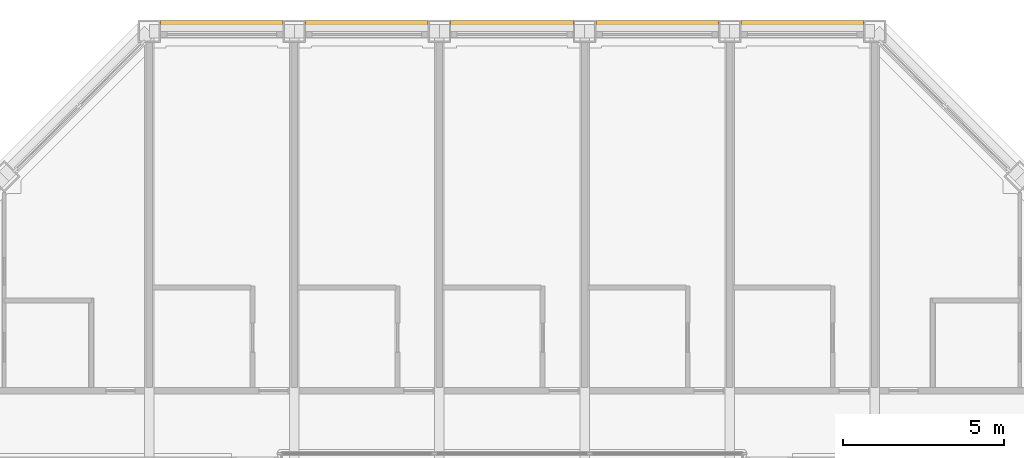
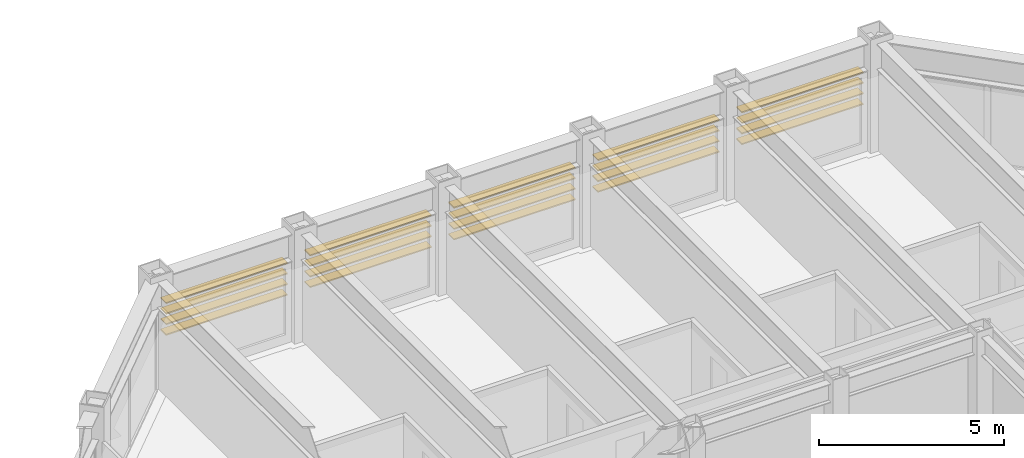
# One storey, part 18 of 18: 1 shading device.
"""IFC4 building model written with IfcOpenShell, lengths in metres."""

from ifc_helpers import new_model, si_unit, direction, frame, origin, origin_2d, place, context, subcontext, project, spatial, rectangle, extrude, material, type_object, element, save


model = new_model("IFC4")

# Units and contexts
model_context = context("Model", 3, precision=1e-05, world=origin(), true_north=direction((0.0, 1.0)))
body_context = subcontext(model_context, "Body", "Model", "MODEL_VIEW")
ifc_project = project(units=[si_unit("LENGTHUNIT", "METRE"), si_unit("AREAUNIT", "SQUARE_METRE"), si_unit("VOLUMEUNIT", "CUBIC_METRE"), si_unit("PLANEANGLEUNIT", "RADIAN"), si_unit("MASSUNIT", "GRAM", prefix="KILO")], contexts=[model_context])

# Site, building, storey
site_placement = place(None, origin())
site = spatial("IfcSite", under=ifc_project, at=site_placement, CompositionType="ELEMENT")
building_placement = place(site_placement, origin())
building = spatial("IfcBuilding", under=site, at=building_placement, Name="Msasa Ring Tower", CompositionType="ELEMENT")
storey_placement = place(building_placement, frame((0.0, 0.0, 200.800048828125)))
storey = spatial("IfcBuildingStorey", under=building, at=storey_placement, Name="L52", CompositionType="ELEMENT", Elevation=200.800048828125)

# Shading device
ifc_material = material(Name="Extruded terracotta blades", Category="masonry")
shading_device_type = type_object("IfcShadingDeviceType", Name="SS1 TERRACOTTA SUNSHADE 4 BLADES 300x40 AT 350", PredefinedType="USERDEFINED", material=ifc_material)
shading_device_placement = place(storey_placement, origin())
element("IfcShadingDevice", 1, at=shading_device_placement, inside=storey, type_object=shading_device_type, Name="Terracotta sunshade N L52", ObjectType="SUNSHADE", PredefinedType="USERDEFINED", context=body_context, shape_type="SweptSolid", body=[
    extrude(rectangle(XDim=0.0400390625, YDim=0.300048828125, at=origin_2d()), frame((-10.89990234375, 20.429931640625, 2.458984375), z_axis=(1.0, 0.0, 0.0), x_axis=(0.0, 0.0, 1.0)), (0.0, 0.0, 1.0), 3.800048828125),
    extrude(rectangle(XDim=0.0400390625, YDim=0.300048828125, at=origin_2d()), frame((-10.89990234375, 20.429931640625, 2.10888671875), z_axis=(1.0, 0.0, 0.0), x_axis=(0.0, 0.0, 1.0)), (0.0, 0.0, 1.0), 3.800048828125),
    extrude(rectangle(XDim=0.0400390625, YDim=0.300048828125, at=origin_2d()), frame((-10.89990234375, 20.429931640625, 1.759033203125), z_axis=(1.0, 0.0, 0.0), x_axis=(0.0, 0.0, 1.0)), (0.0, 0.0, 1.0), 3.800048828125),
    extrude(rectangle(XDim=0.0400390625, YDim=0.300048828125, at=origin_2d()), frame((-10.89990234375, 20.429931640625, 1.408935546875), z_axis=(1.0, 0.0, 0.0), x_axis=(0.0, 0.0, 1.0)), (0.0, 0.0, 1.0), 3.800048828125),
    extrude(rectangle(XDim=0.0400390625, YDim=0.300048828125, at=origin_2d()), frame((-6.39990234375, 20.429931640625, 2.458984375), z_axis=(1.0, 0.0, 0.0), x_axis=(0.0, 0.0, 1.0)), (0.0, 0.0, 1.0), 3.800048828125),
    extrude(rectangle(XDim=0.0400390625, YDim=0.300048828125, at=origin_2d()), frame((-6.39990234375, 20.429931640625, 2.10888671875), z_axis=(1.0, 0.0, 0.0), x_axis=(0.0, 0.0, 1.0)), (0.0, 0.0, 1.0), 3.800048828125),
    extrude(rectangle(XDim=0.0400390625, YDim=0.300048828125, at=origin_2d()), frame((-6.39990234375, 20.429931640625, 1.759033203125), z_axis=(1.0, 0.0, 0.0), x_axis=(0.0, 0.0, 1.0)), (0.0, 0.0, 1.0), 3.800048828125),
    extrude(rectangle(XDim=0.0400390625, YDim=0.300048828125, at=origin_2d()), frame((-6.39990234375, 20.429931640625, 1.408935546875), z_axis=(1.0, 0.0, 0.0), x_axis=(0.0, 0.0, 1.0)), (0.0, 0.0, 1.0), 3.800048828125),
    extrude(rectangle(XDim=0.0400390625, YDim=0.300048828125, at=origin_2d()), frame((-1.89990234375, 20.429931640625, 2.458984375), z_axis=(1.0, 0.0, 0.0), x_axis=(0.0, 0.0, 1.0)), (0.0, 0.0, 1.0), 3.800048828125),
    extrude(rectangle(XDim=0.0400390625, YDim=0.300048828125, at=origin_2d()), frame((-1.89990234375, 20.429931640625, 2.10888671875), z_axis=(1.0, 0.0, 0.0), x_axis=(0.0, 0.0, 1.0)), (0.0, 0.0, 1.0), 3.800048828125),
    extrude(rectangle(XDim=0.0400390625, YDim=0.300048828125, at=origin_2d()), frame((-1.89990234375, 20.429931640625, 1.759033203125), z_axis=(1.0, 0.0, 0.0), x_axis=(0.0, 0.0, 1.0)), (0.0, 0.0, 1.0), 3.800048828125),
    extrude(rectangle(XDim=0.0400390625, YDim=0.300048828125, at=origin_2d()), frame((-1.89990234375, 20.429931640625, 1.408935546875), z_axis=(1.0, 0.0, 0.0), x_axis=(0.0, 0.0, 1.0)), (0.0, 0.0, 1.0), 3.800048828125),
    extrude(rectangle(XDim=0.0400390625, YDim=0.300048828125, at=origin_2d()), frame((2.60009765625, 20.429931640625, 2.458984375), z_axis=(1.0, 0.0, 0.0), x_axis=(0.0, 0.0, 1.0)), (0.0, 0.0, 1.0), 3.800048828125),
    extrude(rectangle(XDim=0.0400390625, YDim=0.300048828125, at=origin_2d()), frame((2.60009765625, 20.429931640625, 2.10888671875), z_axis=(1.0, 0.0, 0.0), x_axis=(0.0, 0.0, 1.0)), (0.0, 0.0, 1.0), 3.800048828125),
    extrude(rectangle(XDim=0.0400390625, YDim=0.300048828125, at=origin_2d()), frame((2.60009765625, 20.429931640625, 1.759033203125), z_axis=(1.0, 0.0, 0.0), x_axis=(0.0, 0.0, 1.0)), (0.0, 0.0, 1.0), 3.800048828125),
    extrude(rectangle(XDim=0.0400390625, YDim=0.300048828125, at=origin_2d()), frame((2.60009765625, 20.429931640625, 1.408935546875), z_axis=(1.0, 0.0, 0.0), x_axis=(0.0, 0.0, 1.0)), (0.0, 0.0, 1.0), 3.800048828125),
    extrude(rectangle(XDim=0.0400390625, YDim=0.300048828125, at=origin_2d()), frame((7.10009765625, 20.429931640625, 2.458984375), z_axis=(1.0, 0.0, 0.0), x_axis=(0.0, 0.0, 1.0)), (0.0, 0.0, 1.0), 3.800048828125),
    extrude(rectangle(XDim=0.0400390625, YDim=0.300048828125, at=origin_2d()), frame((7.10009765625, 20.429931640625, 2.10888671875), z_axis=(1.0, 0.0, 0.0), x_axis=(0.0, 0.0, 1.0)), (0.0, 0.0, 1.0), 3.800048828125),
    extrude(rectangle(XDim=0.0400390625, YDim=0.300048828125, at=origin_2d()), frame((7.10009765625, 20.429931640625, 1.759033203125), z_axis=(1.0, 0.0, 0.0), x_axis=(0.0, 0.0, 1.0)), (0.0, 0.0, 1.0), 3.800048828125),
    extrude(rectangle(XDim=0.0400390625, YDim=0.300048828125, at=origin_2d()), frame((7.10009765625, 20.429931640625, 1.408935546875), z_axis=(1.0, 0.0, 0.0), x_axis=(0.0, 0.0, 1.0)), (0.0, 0.0, 1.0), 3.800048828125),
])

save(model, "model.ifc")
